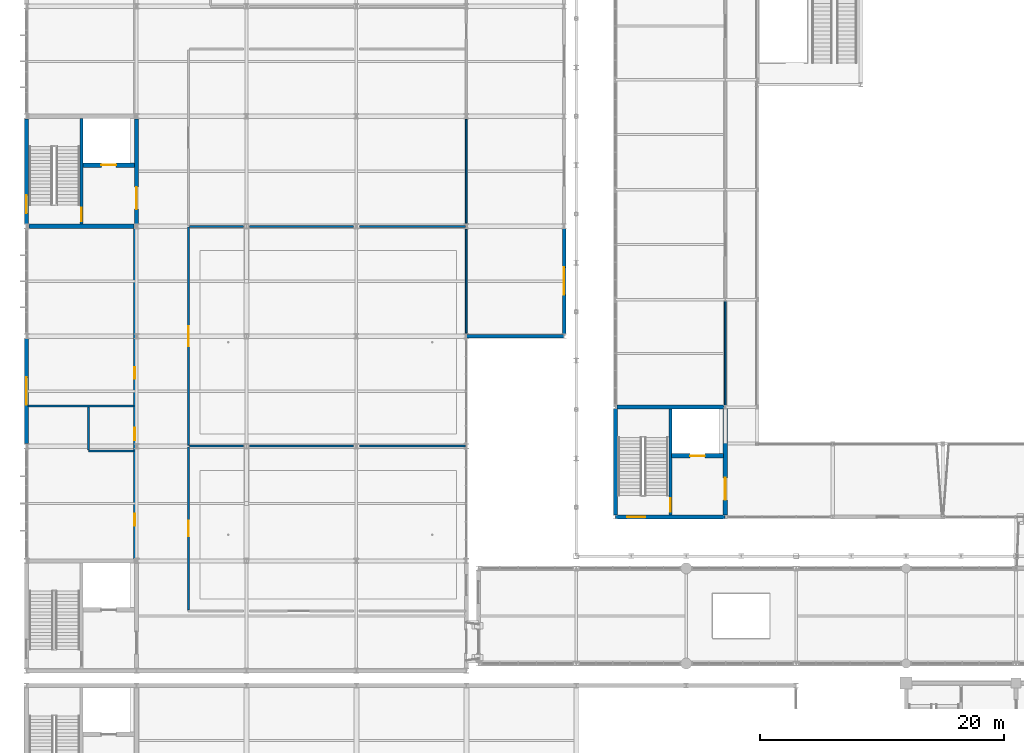
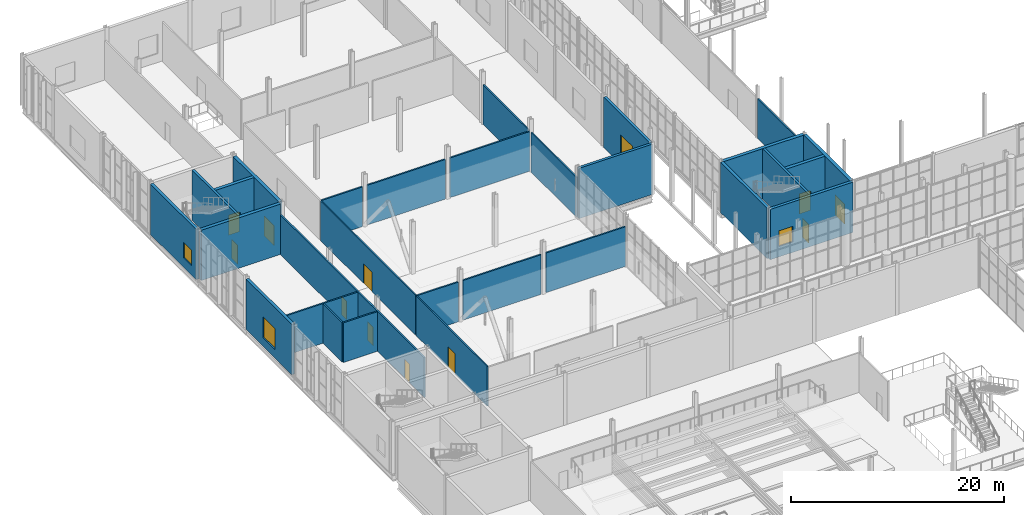
# One storey, part 123 of 159: 29 walls, 11 doors, 4 windows, 15 openings.
"""IFC4 building model written with IfcOpenShell, lengths in metres."""

import ifcopenshell
import ifcopenshell.guid

model = None  # the IFC model being written
_history = None  # IfcOwnerHistory: only IFC2X3 demands one
_inside = {}  # id of a spatial element -> (the spatial element, [elements in it])
_under = {}  # id of a project, library or spatial element -> (it, [spatial elements below it])
_declared = {}  # id of a project -> (the project, [libraries it declares])
_typed = {}  # id of a type object -> (the type object, [elements of that type])
_made_of = {}  # id of a material, layer set ... -> (it, [elements and type objects made of it])


def new_model(schema):
    """Start an empty IFC model of exactly this schema.

    Asked for "IFC4X3", IfcOpenShell would pick the latest addendum, in which some entities
    have other attributes; the version numbers below select the first issue.
    IFC2X3 requires an IfcOwnerHistory on every rooted entity: one is made here for all.
    """
    global model, _history
    if schema == "IFC4X3":
        model = ifcopenshell.file(schema_version=(4, 3, 0, 0))
    else:
        model = ifcopenshell.file(schema=schema)
    _inside.clear()
    _under.clear()
    _declared.clear()
    _typed.clear()
    _made_of.clear()
    _history = None
    if model.schema == "IFC2X3":
        org = make("IfcOrganization", Name="unknown")
        user = make(
            "IfcPersonAndOrganization",
            ThePerson=make("IfcPerson", FamilyName="unknown"),
            TheOrganization=org,
        )
        app = make(
            "IfcApplication",
            ApplicationDeveloper=org,
            Version="unknown",
            ApplicationFullName="unknown",
            ApplicationIdentifier="unknown",
        )
        _history = make(
            "IfcOwnerHistory",
            OwningUser=user,
            OwningApplication=app,
            ChangeAction="ADDED",
            CreationDate=0,
        )
    return model


def make(cls, **values):
    """One entity of the class cls with the attributes given. An attribute that is None is left unset."""
    return model.create_entity(
        cls, **{name: value for name, value in values.items() if value is not None}
    )


def rooted(cls, **values):
    """An entity with a GlobalId (a new one), such as an element, a storey or a relation."""
    return make(cls, GlobalId=ifcopenshell.guid.new(), OwnerHistory=_history, **values)


def si_unit(unit_type, name, prefix=None):
    """IfcSIUnit, for example si_unit("LENGTHUNIT", "METRE", prefix="MILLI")."""
    return make("IfcSIUnit", UnitType=unit_type, Prefix=prefix, Name=name)


def assignment(units):
    """IfcUnitAssignment: the units of a project."""
    return None if units is None else make("IfcUnitAssignment", Units=units)


def point(xyz):
    """IfcCartesianPoint."""
    return None if xyz is None else make("IfcCartesianPoint", Coordinates=xyz)


def direction(xyz):
    """IfcDirection."""
    return None if xyz is None else make("IfcDirection", DirectionRatios=xyz)


def frame(location, z_axis=None, x_axis=None):
    """IfcAxis2Placement3D, a coordinate frame: its origin and axes. An axis left out is left unset."""
    return make(
        "IfcAxis2Placement3D",
        Location=point(location),
        Axis=direction(z_axis),
        RefDirection=direction(x_axis),
    )


def frame_2d(location, x_axis=None):
    """IfcAxis2Placement2D, a coordinate frame in the plane: its origin and x axis."""
    return make(
        "IfcAxis2Placement2D", Location=point(location), RefDirection=direction(x_axis)
    )


def origin():
    """The frame at (0, 0, 0) with its axes left unset."""
    return frame((0.0, 0.0, 0.0))


def place(relative_to, where):
    """IfcLocalPlacement: puts the frame where relative to a parent placement (None: the world)."""
    return make(
        "IfcLocalPlacement", PlacementRelTo=relative_to, RelativePlacement=where
    )


def context(
    kind, dimensions, precision=None, world=None, true_north=None, identifier=None
):
    """IfcGeometricRepresentationContext, for example the 3D "Model" context."""
    return make(
        "IfcGeometricRepresentationContext",
        ContextIdentifier=identifier,
        ContextType=kind,
        CoordinateSpaceDimension=dimensions,
        Precision=precision,
        WorldCoordinateSystem=world,
        TrueNorth=true_north,
    )


def subcontext(parent, identifier, kind, view, scale=None):
    """IfcGeometricRepresentationSubContext, for example "Body" below "Model"."""
    return make(
        "IfcGeometricRepresentationSubContext",
        ContextIdentifier=identifier,
        ContextType=kind,
        ParentContext=parent,
        TargetScale=scale,
        TargetView=view,
    )


def project(units=None, contexts=None):
    """IfcProject with its units and contexts."""
    return rooted(
        "IfcProject",
        Name="project",
        RepresentationContexts=contexts,
        UnitsInContext=assignment(units),
    )


def spatial(cls, under=None, at=None, **own):
    """A site, building, storey or space (cls), placed at a placement, below another one or the project."""
    s = rooted(cls, ObjectPlacement=at, **own)
    if under is not None:
        _under.setdefault(under.id(), (under, []))[1].append(s)
    return s


def profile(cls, at=None, kind="AREA", **sizes):
    """A parametric profile (cls). Its sizes go by their IFC names, for example OverallWidth=200.0."""
    return make(cls, ProfileType=kind, Position=at, **sizes)


def rectangle(**sizes):
    """IfcRectangleProfileDef."""
    return profile("IfcRectangleProfileDef", **sizes)


def extrude(swept, where, along, depth):
    """IfcExtrudedAreaSolid: the profile swept, set in the frame where, extruded along a direction by depth."""
    return make(
        "IfcExtrudedAreaSolid",
        SweptArea=swept,
        Position=where,
        ExtrudedDirection=direction(along),
        Depth=depth,
    )


def shape(context_of_items, identifier, shape_type, items):
    """IfcShapeRepresentation: the items that make up one representation, for example the "Body"."""
    return make(
        "IfcShapeRepresentation",
        ContextOfItems=context_of_items,
        RepresentationIdentifier=identifier,
        RepresentationType=shape_type,
        Items=items,
    )


def material(Name=None, Category=None):
    """IfcMaterial."""
    return make("IfcMaterial", Name=Name, Category=Category)


def layer(
    of_material, thickness, ventilated=None, Name=None, Category=None, Priority=None
):
    """IfcMaterialLayer: one layer of a wall or slab, of a material (None: an air gap)."""
    return make(
        "IfcMaterialLayer",
        Material=of_material,
        LayerThickness=thickness,
        IsVentilated=ventilated,
        Name=Name,
        Category=Category,
        Priority=Priority,
    )


def layer_set(layers, Name=None):
    """IfcMaterialLayerSet."""
    return make("IfcMaterialLayerSet", MaterialLayers=layers, LayerSetName=Name)


def made_of(thing, what):
    """Note that an element or type object is made of a material, layer set ...; save() writes the relation."""
    if what is not None:
        _made_of.setdefault(what.id(), (what, []))[1].append(thing)
    return thing


def type_object(cls, material=None, **own):
    """A type object (cls), such as IfcWallType, which elements share."""
    return made_of(rooted(cls, **own), material)


def element(
    cls,
    number,
    at=None,
    inside=None,
    cuts=None,
    type_object=None,
    material=None,
    context=None,
    identifier="Body",
    shape_type=None,
    held_by="IfcProductDefinitionShape",
    body=None,
    shapes=None,
    **own,
):
    """One element of the class cls, such as IfcWall. Its Tag is "e" and its number.

    at: its placement. inside: the storey or other place that contains it. cuts: it is an
    opening in that element (IfcRelVoidsElement). A single representation is given by context,
    identifier, shape_type and body (its items); several are given by shapes. held_by: the class
    of the entity that holds the representations. save() writes the other relations.
    """
    e = rooted(cls, Tag="e%d" % number, ObjectPlacement=at, **own)
    if body is not None:
        shapes = [shape(context, identifier, shape_type, body)]
    if shapes is not None:
        e.Representation = make(held_by, Representations=shapes)
    if inside is not None:
        _inside.setdefault(inside.id(), (inside, []))[1].append(e)
    if cuts is not None:
        rooted(
            "IfcRelVoidsElement", RelatingBuildingElement=cuts, RelatedOpeningElement=e
        )
    if type_object is not None:
        _typed.setdefault(type_object.id(), (type_object, []))[1].append(e)
    return made_of(e, material)


def fill(opening, filler):
    """IfcRelFillsElement: the door or window that sits in an opening."""
    return rooted(
        "IfcRelFillsElement",
        RelatingOpeningElement=opening,
        RelatedBuildingElement=filler,
    )


def aggregate(whole, parts):
    """IfcRelAggregates: a whole, such as a stair, and the parts it consists of."""
    return rooted("IfcRelAggregates", RelatingObject=whole, RelatedObjects=parts)


def save(model, path):
    """Write the relations noted so far, then the file.

    IfcRelAggregates (storeys below a building ...), IfcRelContainedInSpatialStructure (elements
    in a storey), IfcRelDefinesByType, IfcRelAssociatesMaterial and IfcRelDeclares: one each for
    every whole, place, type object, material and project.
    """
    for whole, parts in _under.values():
        aggregate(whole, parts)
    for where, things in _inside.values():
        rooted(
            "IfcRelContainedInSpatialStructure",
            RelatedElements=things,
            RelatingStructure=where,
        )
    for kind, things in _typed.values():
        rooted("IfcRelDefinesByType", RelatedObjects=things, RelatingType=kind)
    for what, things in _made_of.values():
        rooted("IfcRelAssociatesMaterial", RelatedObjects=things, RelatingMaterial=what)
    for by, libraries in _declared.values():
        rooted("IfcRelDeclares", RelatingContext=by, RelatedDefinitions=libraries)
    model.write(path)


model = new_model("IFC4")

# Units and contexts
model_context = context("Model", 3, precision=1e-05, world=origin(), true_north=direction((0.0, 1.0)))
body_context = subcontext(model_context, "Body", "Model", "MODEL_VIEW")
ifc_project = project(units=[si_unit("LENGTHUNIT", "METRE"), si_unit("AREAUNIT", "SQUARE_METRE"), si_unit("VOLUMEUNIT", "CUBIC_METRE"), si_unit("PLANEANGLEUNIT", "RADIAN"), si_unit("MASSUNIT", "GRAM", prefix="KILO")], contexts=[model_context])

# Site, building, storey
site_placement = place(None, origin())
site = spatial("IfcSite", under=ifc_project, at=site_placement, CompositionType="ELEMENT")
building_placement = place(site_placement, origin())
building = spatial("IfcBuilding", under=site, at=building_placement, Name="Cazmaro Siding Exhibition Halls", CompositionType="ELEMENT")
storey_placement = place(building_placement, frame((0.0, 0.0, 6.0)))
storey = spatial("IfcBuildingStorey", under=building, at=storey_placement, Name="L01", CompositionType="ELEMENT", Elevation=6.0)

# Wall, opening, window
ifc_material_1 = material(Name="Concrete f'c 45 MPa", Category="concrete")
ifc_layer_1 = layer(ifc_material_1, 0.320068359375)
ifc_layer_set_1 = layer_set([ifc_layer_1], Name="Concrete f'c 45 MPa")
wall_type_1 = type_object("IfcWallType", Name="EW-01", PredefinedType="STANDARD", material=ifc_layer_set_1)
wall_1_placement = place(storey_placement, frame((57.18798828125, 67.199951171875, 0.0), z_axis=(0.0, 0.0, 1.0), x_axis=(-1.0, 0.0, 0.0)))
wall_1 = element("IfcWall", 1, at=wall_1_placement, inside=storey, type_object=wall_type_1, Name="Hall A South Core Bay Wall EW-01 WL-E0002", PredefinedType="STANDARD", context=body_context, shape_type="SweptSolid", body=[
    extrude(rectangle(XDim=8.97607421875, YDim=0.320068359375, at=frame_2d((4.488037109375, 0.0))), origin(), (0.0, 0.0, 1.0), 5.780029296875),
])
opening_1_placement = place(wall_1_placement, frame((6.52587890625, 0.0, 1.199951171875)))
opening_1 = element("IfcOpeningElement", 2, at=opening_1_placement, cuts=wall_1, Name="Opening W-001", PredefinedType="OPENING", context=body_context, shape_type="SweptSolid", body=[
    extrude(rectangle(XDim=1.5, YDim=1.800048828125, at=frame_2d((0.75, 0.89990234375))), frame((0.0, 0.169921875, 0.0), z_axis=(0.0, -1.0, 0.0), x_axis=(1.0, 0.0, 0.0)), (0.0, 0.0, 1.0), 0.340087890625),
])
ifc_material_2 = material(Name="Thermally Broken Aluminum Low-E Window Unit", Category="aluminium")
window_type_1 = type_object("IfcWindowType", Name="WT-01", PartitioningType="SINGLE_PANEL", PredefinedType="WINDOW", material=ifc_material_2)
window_1_placement = place(opening_1_placement, origin())
window_1 = element("IfcWindow", 3, at=window_1_placement, inside=storey, type_object=window_type_1, Name="Window W-001 (WT-01)", OverallHeight=1.800048828125, OverallWidth=1.5, PartitioningType="SINGLE_PANEL", PredefinedType="WINDOW", context=body_context, shape_type="SweptSolid", body=[
    extrude(rectangle(XDim=1.5, YDim=1.800048828125, at=frame_2d((0.75, 0.89990234375))), frame((0.0, 0.030029296875, 0.0), z_axis=(0.0, -1.0, 0.0), x_axis=(1.0, 0.0, 0.0)), (0.0, 0.0, 1.0), 0.06005859375),
])
fill(opening_1, window_1)

# Wall
wall_2_placement = place(storey_placement, frame((48.199951171875, 67.346923828125, 0.0), z_axis=(0.0, 0.0, 1.0), x_axis=(0.0, 1.0, 0.0)))
element("IfcWall", 4, at=wall_2_placement, inside=storey, type_object=wall_type_1, Name="Hall A Core End Wall L01 EW-01 WL-E0031", PredefinedType="STANDARD", context=body_context, shape_type="SweptSolid", body=[
    extrude(rectangle(XDim=8.72705078125, YDim=0.320068359375, at=frame_2d((4.363525390625, 0.0))), origin(), (0.0, 0.0, 1.0), 5.780029296875),
])

# Wall, opening, window
wall_3_placement = place(storey_placement, frame((0.0, 73.201904296875, 0.0), z_axis=(0.0, 0.0, 1.0), x_axis=(0.0, 1.0, 0.0)))
wall_3 = element("IfcWall", 5, at=wall_3_placement, inside=storey, type_object=wall_type_1, Name="West Wing Street Pier Wall L01 EW-01 WL-E0262", PredefinedType="STANDARD", context=body_context, shape_type="SweptSolid", body=[
    extrude(rectangle(XDim=8.59619140625, YDim=0.320068359375, at=frame_2d((4.298095703125, 0.0))), origin(), (0.0, 0.0, 1.0), 5.780029296875),
])
opening_2_placement = place(wall_3_placement, frame((3.173095703125, 0.0, 1.0)))
opening_2 = element("IfcOpeningElement", 6, at=opening_2_placement, cuts=wall_3, Name="Opening W-074", PredefinedType="OPENING", context=body_context, shape_type="SweptSolid", body=[
    extrude(rectangle(XDim=2.25, YDim=2.39990234375, at=frame_2d((1.125, 1.199951171875))), frame((0.0, 0.169921875, 0.0), z_axis=(0.0, -1.0, 0.0), x_axis=(1.0, 0.0, 0.0)), (0.0, 0.0, 1.0), 0.340087890625),
])
ifc_material_3 = material(Name="Thermally Broken Aluminum Low-E Window Unit", Category="aluminium")
window_type_2 = type_object("IfcWindowType", Name="WT-06", PartitioningType="SINGLE_PANEL", PredefinedType="WINDOW", material=ifc_material_3)
window_2_placement = place(opening_2_placement, origin())
window_2 = element("IfcWindow", 7, at=window_2_placement, inside=storey, type_object=window_type_2, Name="Window W-074 (WT-06)", OverallHeight=2.39990234375, OverallWidth=2.25, PartitioningType="SINGLE_PANEL", PredefinedType="WINDOW", context=body_context, shape_type="SweptSolid", body=[
    extrude(rectangle(XDim=2.25, YDim=2.39990234375, at=frame_2d((1.125, 1.199951171875))), frame((0.0, 0.030029296875, 0.0), z_axis=(0.0, -1.0, 0.0), x_axis=(1.0, 0.0, 0.0)), (0.0, 0.0, 1.0), 0.06005859375),
])
fill(opening_2, window_2)

wall_4_placement = place(storey_placement, frame((0.0, 91.201904296875, 0.0), z_axis=(0.0, 0.0, 1.0), x_axis=(0.0, 1.0, 0.0)))
wall_4 = element("IfcWall", 8, at=wall_4_placement, inside=storey, type_object=wall_type_1, Name="West Wing Core Street Wall L01 EW-01 WL-E0264", PredefinedType="STANDARD", context=body_context, shape_type="SweptSolid", body=[
    extrude(rectangle(XDim=8.59619140625, YDim=0.320068359375, at=frame_2d((4.298095703125, 0.0))), origin(), (0.0, 0.0, 1.0), 5.780029296875),
])
opening_3_placement = place(wall_4_placement, frame((0.85009765625, 0.0, 1.10009765625)))
opening_3 = element("IfcOpeningElement", 9, at=opening_3_placement, cuts=wall_4, Name="Opening W-076", PredefinedType="OPENING", context=body_context, shape_type="SweptSolid", body=[
    extrude(rectangle(XDim=1.5, YDim=1.800048828125, at=frame_2d((0.75, 0.89990234375))), frame((0.0, 0.169921875, 0.0), z_axis=(0.0, -1.0, 0.0), x_axis=(1.0, 0.0, 0.0)), (0.0, 0.0, 1.0), 0.340087890625),
])
window_3_placement = place(opening_3_placement, origin())
window_3 = element("IfcWindow", 10, at=window_3_placement, inside=storey, type_object=window_type_1, Name="Window W-076 (WT-01)", OverallHeight=1.800048828125, OverallWidth=1.5, PartitioningType="SINGLE_PANEL", PredefinedType="WINDOW", context=body_context, shape_type="SweptSolid", body=[
    extrude(rectangle(XDim=1.5, YDim=1.800048828125, at=frame_2d((0.75, 0.89990234375))), frame((0.0, 0.030029296875, 0.0), z_axis=(0.0, -1.0, 0.0), x_axis=(1.0, 0.0, 0.0)), (0.0, 0.0, 1.0), 0.06005859375),
])
fill(opening_3, window_3)

ifc_material_4 = material(Name="Precast concrete f'c 40 MPa", Category="concrete")
ifc_layer_2 = layer(ifc_material_4, 0.280029296875)
ifc_layer_set_2 = layer_set([ifc_layer_2], Name="Precast concrete f'c 40 MPa")
wall_type_2 = type_object("IfcWallType", Name="EW-02", PredefinedType="STANDARD", material=ifc_layer_set_2)
wall_5_placement = place(storey_placement, frame((44.0, 90.818115234375, 0.0), z_axis=(0.0, 0.0, 1.0), x_axis=(0.0, -1.0, 0.0)))
wall_5 = element("IfcWall", 11, at=wall_5_placement, inside=storey, type_object=wall_type_2, Name="NW Wing East Wall L01 EW-02 WL-E0263", PredefinedType="STANDARD", context=body_context, shape_type="SweptSolid", body=[
    extrude(rectangle(XDim=8.63623046875, YDim=0.280029296875, at=frame_2d((4.318115234375, 0.0))), origin(), (0.0, 0.0, 1.0), 5.780029296875),
])
opening_4_placement = place(wall_5_placement, frame((3.193115234375, 0.0, 1.0)))
opening_4 = element("IfcOpeningElement", 12, at=opening_4_placement, cuts=wall_5, Name="Opening W-075", PredefinedType="OPENING", context=body_context, shape_type="SweptSolid", body=[
    extrude(rectangle(XDim=2.25, YDim=2.39990234375, at=frame_2d((1.125, 1.199951171875))), frame((0.0, 0.14990234375, 0.0), z_axis=(0.0, -1.0, 0.0), x_axis=(1.0, 0.0, 0.0)), (0.0, 0.0, 1.0), 0.300048828125),
])
window_4_placement = place(opening_4_placement, origin())
window_4 = element("IfcWindow", 13, at=window_4_placement, inside=storey, type_object=window_type_2, Name="Window W-075 (WT-06)", OverallHeight=2.39990234375, OverallWidth=2.25, PartitioningType="SINGLE_PANEL", PredefinedType="WINDOW", context=body_context, shape_type="SweptSolid", body=[
    extrude(rectangle(XDim=2.25, YDim=2.39990234375, at=frame_2d((1.125, 1.199951171875))), frame((0.0, 0.030029296875, 0.0), z_axis=(0.0, -1.0, 0.0), x_axis=(1.0, 0.0, 0.0)), (0.0, 0.0, 1.0), 0.06005859375),
])
fill(opening_4, window_4)

# Wall
wall_6_placement = place(storey_placement, frame((43.985107421875, 82.0, 0.0), z_axis=(0.0, 0.0, 1.0), x_axis=(-1.0, 0.0, 0.0)))
element("IfcWall", 14, at=wall_6_placement, inside=storey, type_object=wall_type_2, Name="NW Wing South Return Wall L01 EW-02 WL-E0270", PredefinedType="STANDARD", context=body_context, shape_type="SweptSolid", body=[
    extrude(rectangle(XDim=7.963134765625, YDim=0.280029296875, at=frame_2d((3.9814453125, 0.0))), origin(), (0.0, 0.0, 1.0), 5.780029296875),
])

# Wall, opening, door
ifc_material_5 = material(Name="Fire-Rated Gypsum Board on Cold-Formed Steel Studs", Category="steel")
ifc_layer_3 = layer(ifc_material_5, 0.14501953125)
ifc_layer_set_3 = layer_set([ifc_layer_3], Name="Fire-Rated Gypsum Board on Cold-Formed Steel Studs")
wall_type_3 = type_object("IfcWallType", Name="PW-01", PredefinedType="PARTITIONING", material=ifc_layer_set_3)
wall_7_placement = place(storey_placement, frame((13.25, 59.580078125, 0.0), z_axis=(0.0, 0.0, 1.0), x_axis=(0.0, 1.0, 0.0)))
wall_7 = element("IfcWall", 15, at=wall_7_placement, inside=storey, type_object=wall_type_3, Name="West Wing East Corridor Wall L01 PW-01 WL-I0214", PredefinedType="PARTITIONING", context=body_context, shape_type="SweptSolid", body=[
    extrude(rectangle(XDim=13.33984375, YDim=0.14501953125, at=frame_2d((6.669921875, 0.0))), origin(), (0.0, 0.0, 1.0), 4.550048828125),
])
opening_5_placement = place(wall_7_placement, frame((6.030029296875, 0.0, 0.0)))
opening_5 = element("IfcOpeningElement", 16, at=opening_5_placement, cuts=wall_7, Name="Opening D-I104", PredefinedType="OPENING", context=body_context, shape_type="SweptSolid", body=[
    extrude(rectangle(XDim=1.280029296875, YDim=2.340087890625, at=frame_2d((0.64013671875, 1.169921875))), frame((0.0, 0.08251953125, 0.0), z_axis=(0.0, -1.0, 0.0), x_axis=(1.0, 0.0, 0.0)), (0.0, 0.0, 1.0), 0.1650390625),
])
ifc_material_6 = material(Name="Fire-Rated Painted Hollow Metal Door", Category="steel")
door_type_1 = type_object("IfcDoorType", Name="ID-14", OperationType="NOTDEFINED", PredefinedType="DOOR", material=ifc_material_6)
door_1_placement = place(opening_5_placement, origin())
door_1 = element("IfcDoor", 17, at=door_1_placement, inside=storey, type_object=door_type_1, Name="Interior door D-I104 (ID-14)", OperationType="SINGLE_SWING_LEFT", OverallHeight=2.340087890625, OverallWidth=1.280029296875, PredefinedType="DOOR", context=body_context, shape_type="SweptSolid", body=[
    extrude(rectangle(XDim=1.280029296875, YDim=2.340087890625, at=frame_2d((0.64013671875, 1.169921875))), frame((0.0, 0.02490234375, 0.0), z_axis=(0.0, -1.0, 0.0), x_axis=(1.0, 0.0, 0.0)), (0.0, 0.0, 1.0), 0.050048828125),
])
fill(opening_5, door_1)

wall_8_placement = place(storey_placement, frame((13.25, 73.080078125, 0.0), z_axis=(0.0, 0.0, 1.0), x_axis=(0.0, 1.0, 0.0)))
wall_8 = element("IfcWall", 18, at=wall_8_placement, inside=storey, type_object=wall_type_3, Name="West Wing East Corridor Wall L01 PW-01 WL-I0215", PredefinedType="PARTITIONING", context=body_context, shape_type="SweptSolid", body=[
    extrude(rectangle(XDim=17.83984375, YDim=0.14501953125, at=frame_2d((8.919921875, 0.0))), origin(), (0.0, 0.0, 1.0), 4.550048828125),
])
opening_6_placement = place(wall_8_placement, frame((8.094970703125, 0.0, 0.0)))
opening_6 = element("IfcOpeningElement", 19, at=opening_6_placement, cuts=wall_8, Name="Opening D-I105", PredefinedType="OPENING", context=body_context, shape_type="SweptSolid", body=[
    extrude(rectangle(XDim=1.64990234375, YDim=2.25, at=frame_2d((0.824951171875, 1.125))), frame((0.0, 0.08251953125, 0.0), z_axis=(0.0, -1.0, 0.0), x_axis=(1.0, 0.0, 0.0)), (0.0, 0.0, 1.0), 0.1650390625),
])
ifc_material_7 = material(Name="Fire-Rated Painted Hollow Metal Door", Category="steel")
door_type_2 = type_object("IfcDoorType", Name="ID-05", OperationType="DOUBLE_DOOR_SINGLE_SWING", PredefinedType="DOOR", material=ifc_material_7)
door_2_placement = place(opening_6_placement, origin())
door_2 = element("IfcDoor", 20, at=door_2_placement, inside=storey, type_object=door_type_2, Name="Interior door D-I105 (ID-05)", OperationType="DOUBLE_DOOR_SINGLE_SWING", OverallHeight=2.25, OverallWidth=1.64990234375, PredefinedType="DOOR", context=body_context, shape_type="SweptSolid", body=[
    extrude(rectangle(XDim=1.64990234375, YDim=2.25, at=frame_2d((0.824951171875, 1.125))), frame((0.0, 0.02490234375, 0.0), z_axis=(0.0, -1.0, 0.0), x_axis=(1.0, 0.0, 0.0)), (0.0, 0.0, 1.0), 0.050048828125),
])
fill(opening_6, door_2)

# Walls
for number, where, z_axis, x_axis, name in (
    (21, (36.0, 82.25, 0.0), (0.0, 0.0, 1.0), (0.0, 1.0, 0.0), "NW Wing Suite Wall L01 PW-01 WL-I0235"),
    (22, (36.0, 91.25, 0.0), (0.0, 0.0, 1.0), (0.0, 1.0, 0.0), "NW Wing Suite Wall L01 PW-01 WL-I0236"),
):
    element("IfcWall", number, at=place(storey_placement, frame(where, z_axis=z_axis, x_axis=x_axis)), inside=storey, type_object=wall_type_3, Name=name, PredefinedType="PARTITIONING", context=body_context, shape_type="SweptSolid", body=[
        extrude(rectangle(XDim=8.5, YDim=0.14501953125, at=frame_2d((4.25, 0.0))), origin(), (0.0, 0.0, 1.0), 4.550048828125),
    ])
wall_9_placement = place(storey_placement, frame((57.199951171875, 76.326904296875, 0.0), z_axis=(0.0, 0.0, 1.0), x_axis=(0.0, 1.0, 0.0)))
element("IfcWall", 23, at=wall_9_placement, inside=storey, type_object=wall_type_3, Name="Hall A West Mezzanine Lounge Wall L01 PW-01 WL-I0294", PredefinedType="PARTITIONING", context=body_context, shape_type="SweptSolid", body=[
    extrude(rectangle(XDim=8.546142578125, YDim=0.14501953125, at=frame_2d((4.27294921875, 0.0))), origin(), (0.0, 0.0, 1.0), 4.550048828125),
])
ifc_material_8 = material(Name="Moisture-Resistant Gypsum Board on Acoustic Steel Studs", Category="steel")
ifc_layer_4 = layer(ifc_material_8, 0.1650390625)
ifc_layer_set_4 = layer_set([ifc_layer_4], Name="Moisture-Resistant Gypsum Board on Acoustic Steel Studs")
wall_type_4 = type_object("IfcWallType", Name="PW-02", PredefinedType="PARTITIONING", material=ifc_layer_set_4)
wall_10_placement = place(storey_placement, frame((13.320068359375, 73.0, 0.0), z_axis=(0.0, 0.0, 1.0), x_axis=(1.0, 0.0, 0.0)))
element("IfcWall", 24, at=wall_10_placement, inside=storey, type_object=wall_type_4, Name="West Wing East Room Divider L01 PW-02 WL-I0218", PredefinedType="PARTITIONING", context=body_context, shape_type="SweptSolid", body=[
    extrude(rectangle(XDim=4.429931640625, YDim=0.1650390625, at=frame_2d((2.21484375, 0.0))), origin(), (0.0, 0.0, 1.0), 4.550048828125),
])
wall_11_placement = place(storey_placement, frame((18.25, 73.0, 0.0), z_axis=(0.0, 0.0, 1.0), x_axis=(1.0, 0.0, 0.0)))
element("IfcWall", 25, at=wall_11_placement, inside=storey, type_object=wall_type_4, Name="West Wing East Room Divider L01 PW-02 WL-I0219", PredefinedType="PARTITIONING", context=body_context, shape_type="SweptSolid", body=[
    extrude(rectangle(XDim=8.5, YDim=0.1650390625, at=frame_2d((4.25, 0.0))), origin(), (0.0, 0.0, 1.0), 4.550048828125),
])
wall_12_placement = place(storey_placement, frame((27.25, 73.0, 0.0), z_axis=(0.0, 0.0, 1.0), x_axis=(1.0, 0.0, 0.0)))
element("IfcWall", 26, at=wall_12_placement, inside=storey, type_object=wall_type_4, Name="West Wing East Room Divider L01 PW-02 WL-I0220", PredefinedType="PARTITIONING", context=body_context, shape_type="SweptSolid", body=[
    extrude(rectangle(XDim=8.68994140625, YDim=0.1650390625, at=frame_2d((4.344970703125, 0.0))), origin(), (0.0, 0.0, 1.0), 4.550048828125),
])
wall_13_placement = place(storey_placement, frame((13.320068359375, 91.0, 0.0), z_axis=(0.0, 0.0, 1.0), x_axis=(1.0, 0.0, 0.0)))
element("IfcWall", 27, at=wall_13_placement, inside=storey, type_object=wall_type_4, Name="West Wing East Room Divider L01 PW-02 WL-I0221", PredefinedType="PARTITIONING", context=body_context, shape_type="SweptSolid", body=[
    extrude(rectangle(XDim=4.429931640625, YDim=0.1650390625, at=frame_2d((2.21484375, 0.0))), origin(), (0.0, 0.0, 1.0), 4.550048828125),
])
wall_14_placement = place(storey_placement, frame((18.25, 91.0, 0.0), z_axis=(0.0, 0.0, 1.0), x_axis=(1.0, 0.0, 0.0)))
element("IfcWall", 28, at=wall_14_placement, inside=storey, type_object=wall_type_4, Name="West Wing East Room Divider L01 PW-02 WL-I0222", PredefinedType="PARTITIONING", context=body_context, shape_type="SweptSolid", body=[
    extrude(rectangle(XDim=8.5, YDim=0.1650390625, at=frame_2d((4.25, 0.0))), origin(), (0.0, 0.0, 1.0), 4.550048828125),
])
wall_15_placement = place(storey_placement, frame((27.25, 91.0, 0.0), z_axis=(0.0, 0.0, 1.0), x_axis=(1.0, 0.0, 0.0)))
element("IfcWall", 29, at=wall_15_placement, inside=storey, type_object=wall_type_4, Name="West Wing East Room Divider L01 PW-02 WL-I0223", PredefinedType="PARTITIONING", context=body_context, shape_type="SweptSolid", body=[
    extrude(rectangle(XDim=8.68994140625, YDim=0.1650390625, at=frame_2d((4.344970703125, 0.0))), origin(), (0.0, 0.0, 1.0), 4.550048828125),
])

# Wall, openings, doors
wall_16_placement = place(storey_placement, frame((8.85009765625, 63.780029296875, 0.0), z_axis=(0.0, 0.0, 1.0), x_axis=(0.0, 1.0, 0.0)))
wall_16 = element("IfcWall", 30, at=wall_16_placement, inside=storey, type_object=wall_type_4, Name="West Wing West Service Wall L01 PW-02 WL-I0230", PredefinedType="PARTITIONING", context=body_context, shape_type="SweptSolid", body=[
    extrude(rectangle(XDim=27.0400390625, YDim=0.1650390625, at=frame_2d((13.52001953125, 0.0))), origin(), (0.0, 0.0, 1.0), 4.550048828125),
])
opening_7_placement = place(wall_16_placement, frame((2.719970703125, 0.0, 0.0)))
opening_7 = element("IfcOpeningElement", 31, at=opening_7_placement, cuts=wall_16, Name="Opening D-I108", PredefinedType="OPENING", context=body_context, shape_type="SweptSolid", body=[
    extrude(rectangle(XDim=0.97998046875, YDim=2.14990234375, at=frame_2d((0.489990234375, 1.074951171875))), frame((0.0, 0.092529296875, 0.0), z_axis=(0.0, -1.0, 0.0), x_axis=(1.0, 0.0, 0.0)), (0.0, 0.0, 1.0), 0.18505859375),
])
opening_8_placement = place(wall_16_placement, frame((9.719970703125, 0.0, 0.0)))
opening_8 = element("IfcOpeningElement", 32, at=opening_8_placement, cuts=wall_16, Name="Opening D-I109", PredefinedType="OPENING", context=body_context, shape_type="SweptSolid", body=[
    extrude(rectangle(XDim=1.02001953125, YDim=2.159912109375, at=frame_2d((0.510009765625, 1.080078125))), frame((0.0, 0.092529296875, 0.0), z_axis=(0.0, -1.0, 0.0), x_axis=(1.0, 0.0, 0.0)), (0.0, 0.0, 1.0), 0.18505859375),
])
opening_9_placement = place(wall_16_placement, frame((14.719970703125, 0.0, 0.0)))
opening_9 = element("IfcOpeningElement", 33, at=opening_9_placement, cuts=wall_16, Name="Opening D-I110", PredefinedType="OPENING", context=body_context, shape_type="SweptSolid", body=[
    extrude(rectangle(XDim=0.949951171875, YDim=2.1201171875, at=frame_2d((0.47509765625, 1.06005859375))), frame((0.0, 0.092529296875, 0.0), z_axis=(0.0, -1.0, 0.0), x_axis=(1.0, 0.0, 0.0)), (0.0, 0.0, 1.0), 0.18505859375),
])
ifc_material_9 = material(Name="Fire-Rated Painted Hollow Metal Door", Category="steel")
door_type_3 = type_object("IfcDoorType", Name="ID-03", OperationType="NOTDEFINED", PredefinedType="DOOR", material=ifc_material_9)
door_3_placement = place(opening_7_placement, origin())
door_3 = element("IfcDoor", 34, at=door_3_placement, inside=storey, type_object=door_type_3, Name="Interior door D-I108 (ID-03)", OperationType="SINGLE_SWING_RIGHT", OverallHeight=2.14990234375, OverallWidth=0.97998046875, PredefinedType="DOOR", context=body_context, shape_type="SweptSolid", body=[
    extrude(rectangle(XDim=0.97998046875, YDim=2.14990234375, at=frame_2d((0.489990234375, 1.074951171875))), frame((0.0, 0.02490234375, 0.0), z_axis=(0.0, -1.0, 0.0), x_axis=(1.0, 0.0, 0.0)), (0.0, 0.0, 1.0), 0.050048828125),
])
fill(opening_7, door_3)
ifc_material_10 = material(Name="Fire-Rated Painted Hollow Metal Door", Category="steel")
door_type_4 = type_object("IfcDoorType", Name="ID-04", OperationType="NOTDEFINED", PredefinedType="DOOR", material=ifc_material_10)
door_4_placement = place(opening_9_placement, origin())
door_4 = element("IfcDoor", 35, at=door_4_placement, inside=storey, type_object=door_type_4, Name="Interior door D-I110 (ID-04)", OperationType="SINGLE_SWING_RIGHT", OverallHeight=2.1201171875, OverallWidth=0.949951171875, PredefinedType="DOOR", context=body_context, shape_type="SweptSolid", body=[
    extrude(rectangle(XDim=0.949951171875, YDim=2.1201171875, at=frame_2d((0.47509765625, 1.06005859375))), frame((0.0, 0.02490234375, 0.0), z_axis=(0.0, -1.0, 0.0), x_axis=(1.0, 0.0, 0.0)), (0.0, 0.0, 1.0), 0.050048828125),
])
fill(opening_9, door_4)
ifc_material_11 = material(Name="Fire-Rated Painted Hollow Metal Door", Category="steel")
door_type_5 = type_object("IfcDoorType", Name="ID-07", OperationType="NOTDEFINED", PredefinedType="DOOR", material=ifc_material_11)
door_5_placement = place(opening_8_placement, origin())
door_5 = element("IfcDoor", 36, at=door_5_placement, inside=storey, type_object=door_type_5, Name="Interior door D-I109 (ID-07)", OperationType="SINGLE_SWING_LEFT", OverallHeight=2.159912109375, OverallWidth=1.02001953125, PredefinedType="DOOR", context=body_context, shape_type="SweptSolid", body=[
    extrude(rectangle(XDim=1.02001953125, YDim=2.159912109375, at=frame_2d((0.510009765625, 1.080078125))), frame((0.0, 0.02490234375, 0.0), z_axis=(0.0, -1.0, 0.0), x_axis=(1.0, 0.0, 0.0)), (0.0, 0.0, 1.0), 0.050048828125),
])
fill(opening_8, door_5)

# Walls
wall_17_placement = place(storey_placement, frame((5.050048828125, 72.60009765625, 0.0), z_axis=(0.0, 0.0, 1.0), x_axis=(1.0, 0.0, 0.0)))
element("IfcWall", 37, at=wall_17_placement, inside=storey, type_object=wall_type_4, Name="Accessible WC South Partition L01 PW-02 WL-I0232", PredefinedType="PARTITIONING", context=body_context, shape_type="SweptSolid", body=[
    extrude(rectangle(XDim=3.72998046875, YDim=0.1650390625, at=frame_2d((1.864990234375, 0.0))), origin(), (0.0, 0.0, 1.0), 4.550048828125),
])
wall_18_placement = place(storey_placement, frame((5.050048828125, 72.679931640625, 0.0), z_axis=(0.0, 0.0, 1.0), x_axis=(0.0, 1.0, 0.0)))
element("IfcWall", 38, at=wall_18_placement, inside=storey, type_object=wall_type_4, Name="Accessible WC West Partition L01 PW-02 WL-I0233", PredefinedType="PARTITIONING", context=body_context, shape_type="SweptSolid", body=[
    extrude(rectangle(XDim=3.5400390625, YDim=0.1650390625, at=frame_2d((1.77001953125, 0.0))), origin(), (0.0, 0.0, 1.0), 4.550048828125),
])
wall_19_placement = place(storey_placement, frame((0.10009765625, 76.300048828125, 0.0), z_axis=(0.0, 0.0, 1.0), x_axis=(1.0, 0.0, 0.0)))
element("IfcWall", 39, at=wall_19_placement, inside=storey, type_object=wall_type_4, Name="West Wing Restroom Divider L01 PW-02 WL-I0234", PredefinedType="PARTITIONING", context=body_context, shape_type="SweptSolid", body=[
    extrude(rectangle(XDim=8.679931640625, YDim=0.1650390625, at=frame_2d((4.33984375, 0.0))), origin(), (0.0, 0.0, 1.0), 4.550048828125),
])

# Wall, opening, door
ifc_material_12 = material(Name="Concrete f'c 50 MPa", Category="concrete")
ifc_layer_5 = layer(ifc_material_12, 0.360107421875)
ifc_layer_set_5 = layer_set([ifc_layer_5], Name="Concrete f'c 50 MPa")
wall_type_5 = type_object("IfcWallType", Name="SW-01", PredefinedType="SHEAR", material=ifc_layer_set_5)
wall_20_placement = place(storey_placement, frame((57.199951171875, 67.347900390625, 0.0), z_axis=(0.0, 0.0, 1.0), x_axis=(0.0, 1.0, 0.0)))
wall_20 = element("IfcWall", 40, at=wall_20_placement, inside=storey, type_object=wall_type_5, Name="Core C1 East Shear Wall SW-01 WL-I0005", PredefinedType="SHEAR", context=body_context, shape_type="SweptSolid", body=[
    extrude(rectangle(XDim=8.72509765625, YDim=0.360107421875, at=frame_2d((4.362548828125, 0.0))), origin(), (0.0, 0.0, 1.0), 5.780029296875),
])
opening_10_placement = place(wall_20_placement, frame((1.251953125, 0.0, 0.0)))
opening_10 = element("IfcOpeningElement", 41, at=opening_10_placement, cuts=wall_20, Name="Opening D-I004", PredefinedType="OPENING", context=body_context, shape_type="SweptSolid", body=[
    extrude(rectangle(XDim=1.800048828125, YDim=2.300048828125, at=frame_2d((0.89990234375, 1.14990234375))), frame((0.0, 0.18994140625, 0.0), z_axis=(0.0, -1.0, 0.0), x_axis=(1.0, 0.0, 0.0)), (0.0, 0.0, 1.0), 0.380126953125),
])
ifc_material_13 = material(Name="Fire-Rated Painted Hollow Metal Door", Category="steel")
door_type_6 = type_object("IfcDoorType", Name="ID-02", OperationType="DOUBLE_DOOR_SINGLE_SWING", PredefinedType="DOOR", material=ifc_material_13)
door_6_placement = place(opening_10_placement, origin())
door_6 = element("IfcDoor", 42, at=door_6_placement, inside=storey, type_object=door_type_6, Name="Interior door D-I004 (ID-02)", OperationType="DOUBLE_DOOR_SINGLE_SWING", OverallHeight=2.300048828125, OverallWidth=1.800048828125, PredefinedType="DOOR", context=body_context, shape_type="SweptSolid", body=[
    extrude(rectangle(XDim=1.800048828125, YDim=2.300048828125, at=frame_2d((0.89990234375, 1.14990234375))), frame((0.0, 0.02490234375, 0.0), z_axis=(0.0, -1.0, 0.0), x_axis=(1.0, 0.0, 0.0)), (0.0, 0.0, 1.0), 0.050048828125),
])
fill(opening_10, door_6)

# Wall
wall_21_placement = place(storey_placement, frame((48.323974609375, 76.199951171875, 0.0), z_axis=(0.0, 0.0, 1.0), x_axis=(1.0, 0.0, 0.0)))
element("IfcWall", 43, at=wall_21_placement, inside=storey, type_object=wall_type_5, Name="Core C1 North Shear Wall SW-01 WL-I0006", PredefinedType="SHEAR", context=body_context, shape_type="SweptSolid", body=[
    extrude(rectangle(XDim=8.751953125, YDim=0.360107421875, at=frame_2d((4.3759765625, 0.0))), origin(), (0.0, 0.0, 1.0), 5.780029296875),
])

# Wall, opening, door
wall_22_placement = place(storey_placement, frame((52.81494140625, 72.199951171875, 0.0), z_axis=(0.0, 0.0, 1.0), x_axis=(1.0, 0.0, 0.0)))
wall_22 = element("IfcWall", 44, at=wall_22_placement, inside=storey, type_object=wall_type_5, Name="Core C1 Lift Shaft Wall SW-01 WL-I0008", PredefinedType="SHEAR", context=body_context, shape_type="SweptSolid", body=[
    extrude(rectangle(XDim=4.219970703125, YDim=0.360107421875, at=frame_2d((2.10986328125, 0.0))), origin(), (0.0, 0.0, 1.0), 5.780029296875),
])
opening_11_placement = place(wall_22_placement, frame((1.510009765625, 0.0, 0.0)))
opening_11 = element("IfcOpeningElement", 45, at=opening_11_placement, cuts=wall_22, Name="Opening LD-002", PredefinedType="OPENING", context=body_context, shape_type="SweptSolid", body=[
    extrude(rectangle(XDim=1.199951171875, YDim=2.300048828125, at=frame_2d((0.60009765625, 1.14990234375))), frame((0.0, 0.18994140625, 0.0), z_axis=(0.0, -1.0, 0.0), x_axis=(1.0, 0.0, 0.0)), (0.0, 0.0, 1.0), 0.380126953125),
])
ifc_material_14 = material(Name="Stainless Steel Elevator Landing Door", Category="steel")
door_type_7 = type_object("IfcDoorType", Name="LD-01", OperationType="SLIDING_TO_LEFT", PredefinedType="DOOR", material=ifc_material_14)
door_7_placement = place(opening_11_placement, origin())
door_7 = element("IfcDoor", 46, at=door_7_placement, inside=storey, type_object=door_type_7, Name="Interior door LD-002 (LD-01)", OperationType="SLIDING_TO_RIGHT", OverallHeight=2.300048828125, OverallWidth=1.199951171875, PredefinedType="DOOR", context=body_context, shape_type="SweptSolid", body=[
    extrude(rectangle(XDim=1.199951171875, YDim=2.300048828125, at=frame_2d((0.60009765625, 1.14990234375))), frame((0.0, 0.02490234375, 0.0), z_axis=(0.0, -1.0, 0.0), x_axis=(1.0, 0.0, 0.0)), (0.0, 0.0, 1.0), 0.050048828125),
])
fill(opening_11, door_7)

wall_23_placement = place(storey_placement, frame((9.0, 91.202880859375, 0.0), z_axis=(0.0, 0.0, 1.0), x_axis=(0.0, 1.0, 0.0)))
wall_23 = element("IfcWall", 47, at=wall_23_placement, inside=storey, type_object=wall_type_5, Name="Core C8 East Shear Wall SW-01 WL-I0104", PredefinedType="SHEAR", context=body_context, shape_type="SweptSolid", body=[
    extrude(rectangle(XDim=8.59423828125, YDim=0.360107421875, at=frame_2d((4.297119140625, 0.0))), origin(), (0.0, 0.0, 1.0), 5.780029296875),
])
opening_12_placement = place(wall_23_placement, frame((1.197021484375, 0.0, 0.0)))
opening_12 = element("IfcOpeningElement", 48, at=opening_12_placement, cuts=wall_23, Name="Opening D-I052", PredefinedType="OPENING", context=body_context, shape_type="SweptSolid", body=[
    extrude(rectangle(XDim=1.800048828125, YDim=2.300048828125, at=frame_2d((0.89990234375, 1.14990234375))), frame((0.0, 0.18994140625, 0.0), z_axis=(0.0, -1.0, 0.0), x_axis=(1.0, 0.0, 0.0)), (0.0, 0.0, 1.0), 0.380126953125),
])
door_8_placement = place(opening_12_placement, origin())
door_8 = element("IfcDoor", 49, at=door_8_placement, inside=storey, type_object=door_type_6, Name="Interior door D-I052 (ID-02)", OperationType="DOUBLE_DOOR_SINGLE_SWING", OverallHeight=2.300048828125, OverallWidth=1.800048828125, PredefinedType="DOOR", context=body_context, shape_type="SweptSolid", body=[
    extrude(rectangle(XDim=1.800048828125, YDim=2.300048828125, at=frame_2d((0.89990234375, 1.14990234375))), frame((0.0, 0.02490234375, 0.0), z_axis=(0.0, -1.0, 0.0), x_axis=(1.0, 0.0, 0.0)), (0.0, 0.0, 1.0), 0.050048828125),
])
fill(opening_12, door_8)

# Wall
wall_24_placement = place(storey_placement, frame((0.197998046875, 91.0, 0.0), z_axis=(0.0, 0.0, 1.0), x_axis=(1.0, 0.0, 0.0)))
element("IfcWall", 50, at=wall_24_placement, inside=storey, type_object=wall_type_5, Name="Core C8 South Shear Wall SW-01 WL-I0105", PredefinedType="SHEAR", context=body_context, shape_type="SweptSolid", body=[
    extrude(rectangle(XDim=8.60400390625, YDim=0.360107421875, at=frame_2d((4.302001953125, 0.0))), origin(), (0.0, 0.0, 1.0), 5.780029296875),
])

# Wall, opening, door
wall_25_placement = place(storey_placement, frame((4.614990234375, 96.0, 0.0), z_axis=(0.0, 0.0, 1.0), x_axis=(1.0, 0.0, 0.0)))
wall_25 = element("IfcWall", 51, at=wall_25_placement, inside=storey, type_object=wall_type_5, Name="Core C8 Lift Shaft Wall SW-01 WL-I0108", PredefinedType="SHEAR", context=body_context, shape_type="SweptSolid", body=[
    extrude(rectangle(XDim=4.219970703125, YDim=0.360107421875, at=frame_2d((2.10986328125, 0.0))), origin(), (0.0, 0.0, 1.0), 5.780029296875),
])
opening_13_placement = place(wall_25_placement, frame((1.510009765625, 0.0, 0.0)))
opening_13 = element("IfcOpeningElement", 52, at=opening_13_placement, cuts=wall_25, Name="Opening LD-026", PredefinedType="OPENING", context=body_context, shape_type="SweptSolid", body=[
    extrude(rectangle(XDim=1.199951171875, YDim=2.300048828125, at=frame_2d((0.60009765625, 1.14990234375))), frame((0.0, 0.18994140625, 0.0), z_axis=(0.0, -1.0, 0.0), x_axis=(1.0, 0.0, 0.0)), (0.0, 0.0, 1.0), 0.380126953125),
])
door_9_placement = place(opening_13_placement, origin())
door_9 = element("IfcDoor", 53, at=door_9_placement, inside=storey, type_object=door_type_7, Name="Interior door LD-026 (LD-01)", OperationType="SLIDING_TO_RIGHT", OverallHeight=2.300048828125, OverallWidth=1.199951171875, PredefinedType="DOOR", context=body_context, shape_type="SweptSolid", body=[
    extrude(rectangle(XDim=1.199951171875, YDim=2.300048828125, at=frame_2d((0.60009765625, 1.14990234375))), frame((0.0, 0.02490234375, 0.0), z_axis=(0.0, -1.0, 0.0), x_axis=(1.0, 0.0, 0.0)), (0.0, 0.0, 1.0), 0.050048828125),
])
fill(opening_13, door_9)

ifc_material_15 = material(Name="Concrete f'c 50 MPa", Category="concrete")
ifc_layer_6 = layer(ifc_material_15, 0.25)
ifc_layer_set_6 = layer_set([ifc_layer_6], Name="Concrete f'c 50 MPa")
wall_type_6 = type_object("IfcWallType", Name="SW-02", PredefinedType="SHEAR", material=ifc_layer_set_6)
wall_26_placement = place(storey_placement, frame((52.699951171875, 67.364990234375, 0.0), z_axis=(0.0, 0.0, 1.0), x_axis=(0.0, 1.0, 0.0)))
wall_26 = element("IfcWall", 54, at=wall_26_placement, inside=storey, type_object=wall_type_6, Name="Core C1 Stair-Lobby Divider SW-02 WL-I0007", PredefinedType="SHEAR", context=body_context, shape_type="SweptSolid", body=[
    extrude(rectangle(XDim=8.669921875, YDim=0.25, at=frame_2d((4.3349609375, 0.0))), origin(), (0.0, 0.0, 1.0), 5.780029296875),
])
opening_14_placement = place(wall_26_placement, frame((0.25, 0.0, 0.0)))
opening_14 = element("IfcOpeningElement", 55, at=opening_14_placement, cuts=wall_26, Name="Opening D-I003", PredefinedType="OPENING", context=body_context, shape_type="SweptSolid", body=[
    extrude(rectangle(XDim=1.10009765625, YDim=2.199951171875, at=frame_2d((0.550048828125, 1.10009765625))), frame((0.0, 0.135009765625, 0.0), z_axis=(0.0, -1.0, 0.0), x_axis=(1.0, 0.0, 0.0)), (0.0, 0.0, 1.0), 0.27001953125),
])
ifc_material_16 = material(Name="Fire-Rated Painted Hollow Metal Door", Category="steel")
door_type_8 = type_object("IfcDoorType", Name="ID-01", OperationType="NOTDEFINED", PredefinedType="DOOR", material=ifc_material_16)
door_10_placement = place(opening_14_placement, origin())
door_10 = element("IfcDoor", 56, at=door_10_placement, inside=storey, type_object=door_type_8, Name="Interior door D-I003 (ID-01)", OperationType="SINGLE_SWING_RIGHT", OverallHeight=2.199951171875, OverallWidth=1.10009765625, PredefinedType="DOOR", context=body_context, shape_type="SweptSolid", body=[
    extrude(rectangle(XDim=1.10009765625, YDim=2.199951171875, at=frame_2d((0.550048828125, 1.10009765625))), frame((0.0, 0.02490234375, 0.0), z_axis=(0.0, -1.0, 0.0), x_axis=(1.0, 0.0, 0.0)), (0.0, 0.0, 1.0), 0.050048828125),
])
fill(opening_14, door_10)

wall_27_placement = place(storey_placement, frame((4.5, 91.1650390625, 0.0), z_axis=(0.0, 0.0, 1.0), x_axis=(0.0, 1.0, 0.0)))
wall_27 = element("IfcWall", 57, at=wall_27_placement, inside=storey, type_object=wall_type_6, Name="Core C8 Stair-Lobby Divider SW-02 WL-I0107", PredefinedType="SHEAR", context=body_context, shape_type="SweptSolid", body=[
    extrude(rectangle(XDim=8.669921875, YDim=0.25, at=frame_2d((4.3349609375, 0.0))), origin(), (0.0, 0.0, 1.0), 5.780029296875),
])
opening_15_placement = place(wall_27_placement, frame((0.25, 0.0, 0.0)))
opening_15 = element("IfcOpeningElement", 58, at=opening_15_placement, cuts=wall_27, Name="Opening D-I051", PredefinedType="OPENING", context=body_context, shape_type="SweptSolid", body=[
    extrude(rectangle(XDim=1.10009765625, YDim=2.199951171875, at=frame_2d((0.550048828125, 1.10009765625))), frame((0.0, 0.135009765625, 0.0), z_axis=(0.0, -1.0, 0.0), x_axis=(1.0, 0.0, 0.0)), (0.0, 0.0, 1.0), 0.27001953125),
])
door_11_placement = place(opening_15_placement, origin())
door_11 = element("IfcDoor", 59, at=door_11_placement, inside=storey, type_object=door_type_8, Name="Interior door D-I051 (ID-01)", OperationType="SINGLE_SWING_RIGHT", OverallHeight=2.199951171875, OverallWidth=1.10009765625, PredefinedType="DOOR", context=body_context, shape_type="SweptSolid", body=[
    extrude(rectangle(XDim=1.10009765625, YDim=2.199951171875, at=frame_2d((0.550048828125, 1.10009765625))), frame((0.0, 0.02490234375, 0.0), z_axis=(0.0, -1.0, 0.0), x_axis=(1.0, 0.0, 0.0)), (0.0, 0.0, 1.0), 0.050048828125),
])
fill(opening_15, door_11)

save(model, "model.ifc")
